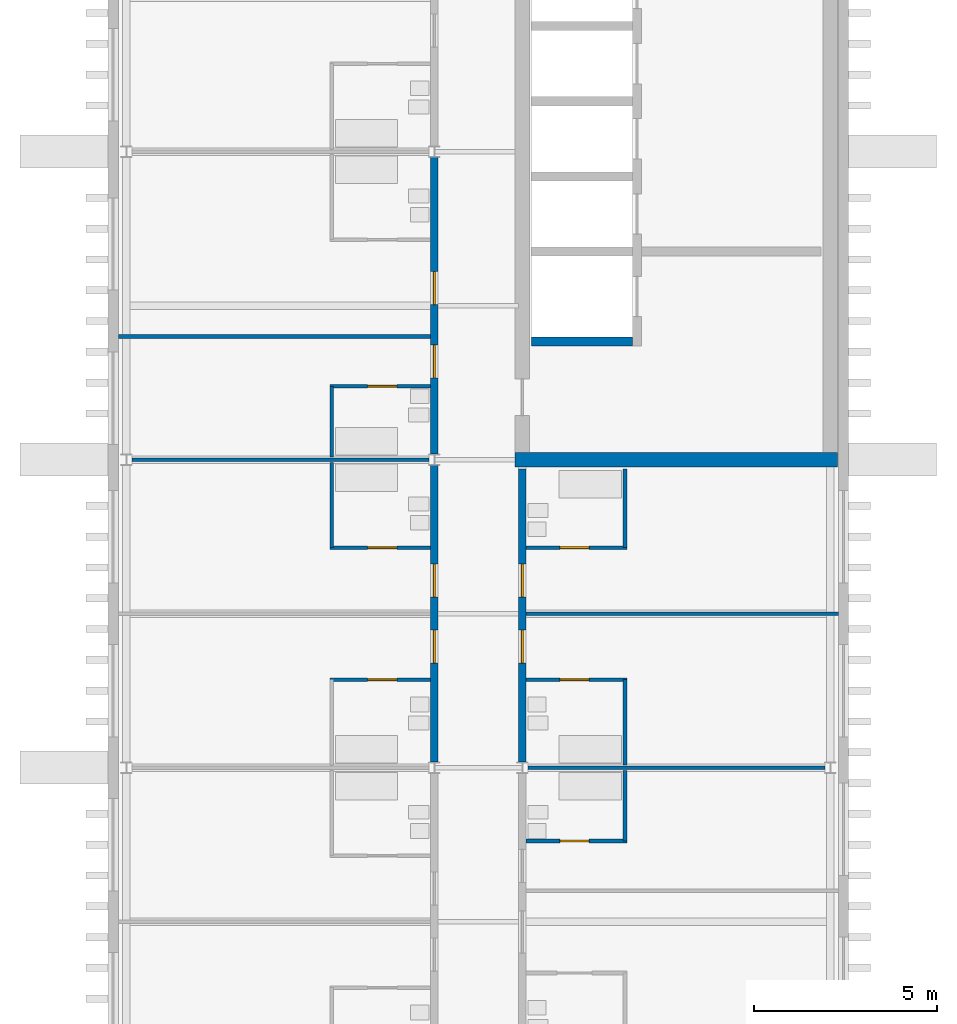
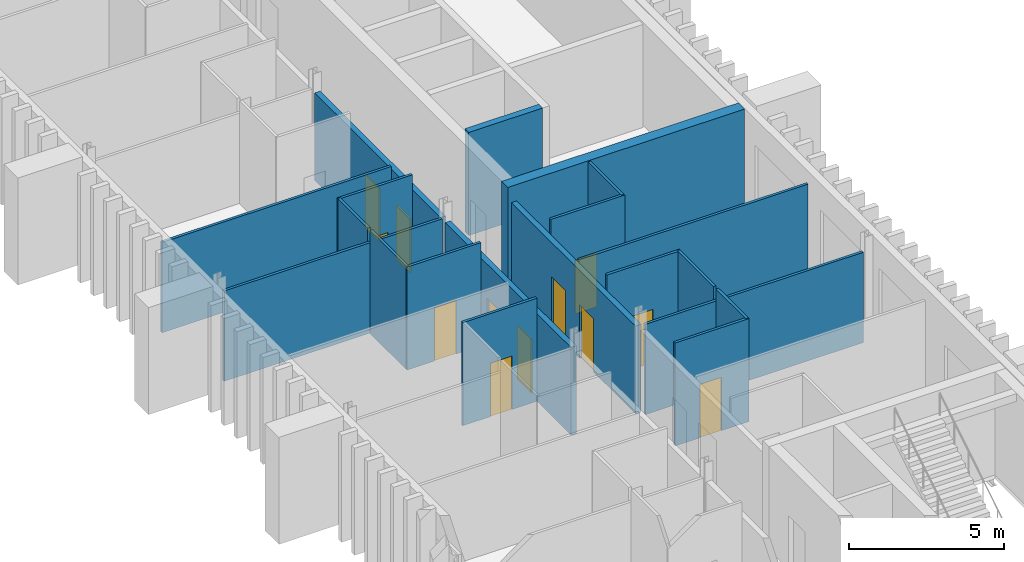
# One storey, part 5 of 11: 20 walls, 12 doors, 12 openings.
"""IFC4 building model written with IfcOpenShell, lengths in metres."""

import ifcopenshell
import ifcopenshell.guid

model = None  # the IFC model being written
_history = None  # IfcOwnerHistory: only IFC2X3 demands one
_inside = {}  # id of a spatial element -> (the spatial element, [elements in it])
_under = {}  # id of a project, library or spatial element -> (it, [spatial elements below it])
_declared = {}  # id of a project -> (the project, [libraries it declares])
_typed = {}  # id of a type object -> (the type object, [elements of that type])
_made_of = {}  # id of a material, layer set ... -> (it, [elements and type objects made of it])


def new_model(schema):
    """Start an empty IFC model of exactly this schema.

    Asked for "IFC4X3", IfcOpenShell would pick the latest addendum, in which some entities
    have other attributes; the version numbers below select the first issue.
    IFC2X3 requires an IfcOwnerHistory on every rooted entity: one is made here for all.
    """
    global model, _history
    if schema == "IFC4X3":
        model = ifcopenshell.file(schema_version=(4, 3, 0, 0))
    else:
        model = ifcopenshell.file(schema=schema)
    _inside.clear()
    _under.clear()
    _declared.clear()
    _typed.clear()
    _made_of.clear()
    _history = None
    if model.schema == "IFC2X3":
        org = make("IfcOrganization", Name="unknown")
        user = make(
            "IfcPersonAndOrganization",
            ThePerson=make("IfcPerson", FamilyName="unknown"),
            TheOrganization=org,
        )
        app = make(
            "IfcApplication",
            ApplicationDeveloper=org,
            Version="unknown",
            ApplicationFullName="unknown",
            ApplicationIdentifier="unknown",
        )
        _history = make(
            "IfcOwnerHistory",
            OwningUser=user,
            OwningApplication=app,
            ChangeAction="ADDED",
            CreationDate=0,
        )
    return model


def make(cls, **values):
    """One entity of the class cls with the attributes given. An attribute that is None is left unset."""
    return model.create_entity(
        cls, **{name: value for name, value in values.items() if value is not None}
    )


def rooted(cls, **values):
    """An entity with a GlobalId (a new one), such as an element, a storey or a relation."""
    return make(cls, GlobalId=ifcopenshell.guid.new(), OwnerHistory=_history, **values)


def si_unit(unit_type, name, prefix=None):
    """IfcSIUnit, for example si_unit("LENGTHUNIT", "METRE", prefix="MILLI")."""
    return make("IfcSIUnit", UnitType=unit_type, Prefix=prefix, Name=name)


def assignment(units):
    """IfcUnitAssignment: the units of a project."""
    return None if units is None else make("IfcUnitAssignment", Units=units)


def point(xyz):
    """IfcCartesianPoint."""
    return None if xyz is None else make("IfcCartesianPoint", Coordinates=xyz)


def direction(xyz):
    """IfcDirection."""
    return None if xyz is None else make("IfcDirection", DirectionRatios=xyz)


def frame(location, z_axis=None, x_axis=None):
    """IfcAxis2Placement3D, a coordinate frame: its origin and axes. An axis left out is left unset."""
    return make(
        "IfcAxis2Placement3D",
        Location=point(location),
        Axis=direction(z_axis),
        RefDirection=direction(x_axis),
    )


def frame_2d(location, x_axis=None):
    """IfcAxis2Placement2D, a coordinate frame in the plane: its origin and x axis."""
    return make(
        "IfcAxis2Placement2D", Location=point(location), RefDirection=direction(x_axis)
    )


def origin():
    """The frame at (0, 0, 0) with its axes left unset."""
    return frame((0.0, 0.0, 0.0))


def place(relative_to, where):
    """IfcLocalPlacement: puts the frame where relative to a parent placement (None: the world)."""
    return make(
        "IfcLocalPlacement", PlacementRelTo=relative_to, RelativePlacement=where
    )


def context(
    kind, dimensions, precision=None, world=None, true_north=None, identifier=None
):
    """IfcGeometricRepresentationContext, for example the 3D "Model" context."""
    return make(
        "IfcGeometricRepresentationContext",
        ContextIdentifier=identifier,
        ContextType=kind,
        CoordinateSpaceDimension=dimensions,
        Precision=precision,
        WorldCoordinateSystem=world,
        TrueNorth=true_north,
    )


def subcontext(parent, identifier, kind, view, scale=None):
    """IfcGeometricRepresentationSubContext, for example "Body" below "Model"."""
    return make(
        "IfcGeometricRepresentationSubContext",
        ContextIdentifier=identifier,
        ContextType=kind,
        ParentContext=parent,
        TargetScale=scale,
        TargetView=view,
    )


def project(units=None, contexts=None):
    """IfcProject with its units and contexts."""
    return rooted(
        "IfcProject",
        Name="project",
        RepresentationContexts=contexts,
        UnitsInContext=assignment(units),
    )


def spatial(cls, under=None, at=None, **own):
    """A site, building, storey or space (cls), placed at a placement, below another one or the project."""
    s = rooted(cls, ObjectPlacement=at, **own)
    if under is not None:
        _under.setdefault(under.id(), (under, []))[1].append(s)
    return s


def profile(cls, at=None, kind="AREA", **sizes):
    """A parametric profile (cls). Its sizes go by their IFC names, for example OverallWidth=200.0."""
    return make(cls, ProfileType=kind, Position=at, **sizes)


def rectangle(**sizes):
    """IfcRectangleProfileDef."""
    return profile("IfcRectangleProfileDef", **sizes)


def extrude(swept, where, along, depth):
    """IfcExtrudedAreaSolid: the profile swept, set in the frame where, extruded along a direction by depth."""
    return make(
        "IfcExtrudedAreaSolid",
        SweptArea=swept,
        Position=where,
        ExtrudedDirection=direction(along),
        Depth=depth,
    )


def shape(context_of_items, identifier, shape_type, items):
    """IfcShapeRepresentation: the items that make up one representation, for example the "Body"."""
    return make(
        "IfcShapeRepresentation",
        ContextOfItems=context_of_items,
        RepresentationIdentifier=identifier,
        RepresentationType=shape_type,
        Items=items,
    )


def material(Name=None, Category=None):
    """IfcMaterial."""
    return make("IfcMaterial", Name=Name, Category=Category)


def layer(
    of_material, thickness, ventilated=None, Name=None, Category=None, Priority=None
):
    """IfcMaterialLayer: one layer of a wall or slab, of a material (None: an air gap)."""
    return make(
        "IfcMaterialLayer",
        Material=of_material,
        LayerThickness=thickness,
        IsVentilated=ventilated,
        Name=Name,
        Category=Category,
        Priority=Priority,
    )


def layer_set(layers, Name=None):
    """IfcMaterialLayerSet."""
    return make("IfcMaterialLayerSet", MaterialLayers=layers, LayerSetName=Name)


def made_of(thing, what):
    """Note that an element or type object is made of a material, layer set ...; save() writes the relation."""
    if what is not None:
        _made_of.setdefault(what.id(), (what, []))[1].append(thing)
    return thing


def type_object(cls, material=None, **own):
    """A type object (cls), such as IfcWallType, which elements share."""
    return made_of(rooted(cls, **own), material)


def element(
    cls,
    number,
    at=None,
    inside=None,
    cuts=None,
    type_object=None,
    material=None,
    context=None,
    identifier="Body",
    shape_type=None,
    held_by="IfcProductDefinitionShape",
    body=None,
    shapes=None,
    **own,
):
    """One element of the class cls, such as IfcWall. Its Tag is "e" and its number.

    at: its placement. inside: the storey or other place that contains it. cuts: it is an
    opening in that element (IfcRelVoidsElement). A single representation is given by context,
    identifier, shape_type and body (its items); several are given by shapes. held_by: the class
    of the entity that holds the representations. save() writes the other relations.
    """
    e = rooted(cls, Tag="e%d" % number, ObjectPlacement=at, **own)
    if body is not None:
        shapes = [shape(context, identifier, shape_type, body)]
    if shapes is not None:
        e.Representation = make(held_by, Representations=shapes)
    if inside is not None:
        _inside.setdefault(inside.id(), (inside, []))[1].append(e)
    if cuts is not None:
        rooted(
            "IfcRelVoidsElement", RelatingBuildingElement=cuts, RelatedOpeningElement=e
        )
    if type_object is not None:
        _typed.setdefault(type_object.id(), (type_object, []))[1].append(e)
    return made_of(e, material)


def fill(opening, filler):
    """IfcRelFillsElement: the door or window that sits in an opening."""
    return rooted(
        "IfcRelFillsElement",
        RelatingOpeningElement=opening,
        RelatedBuildingElement=filler,
    )


def aggregate(whole, parts):
    """IfcRelAggregates: a whole, such as a stair, and the parts it consists of."""
    return rooted("IfcRelAggregates", RelatingObject=whole, RelatedObjects=parts)


def save(model, path):
    """Write the relations noted so far, then the file.

    IfcRelAggregates (storeys below a building ...), IfcRelContainedInSpatialStructure (elements
    in a storey), IfcRelDefinesByType, IfcRelAssociatesMaterial and IfcRelDeclares: one each for
    every whole, place, type object, material and project.
    """
    for whole, parts in _under.values():
        aggregate(whole, parts)
    for where, things in _inside.values():
        rooted(
            "IfcRelContainedInSpatialStructure",
            RelatedElements=things,
            RelatingStructure=where,
        )
    for kind, things in _typed.values():
        rooted("IfcRelDefinesByType", RelatedObjects=things, RelatingType=kind)
    for what, things in _made_of.values():
        rooted("IfcRelAssociatesMaterial", RelatedObjects=things, RelatingMaterial=what)
    for by, libraries in _declared.values():
        rooted("IfcRelDeclares", RelatingContext=by, RelatedDefinitions=libraries)
    model.write(path)


model = new_model("IFC4")

# Units and contexts
model_context = context("Model", 3, precision=1e-05, world=origin(), true_north=direction((0.0, 1.0)))
body_context = subcontext(model_context, "Body", "Model", "MODEL_VIEW")
ifc_project = project(units=[si_unit("LENGTHUNIT", "METRE"), si_unit("AREAUNIT", "SQUARE_METRE"), si_unit("VOLUMEUNIT", "CUBIC_METRE"), si_unit("PLANEANGLEUNIT", "RADIAN"), si_unit("MASSUNIT", "GRAM", prefix="KILO")], contexts=[model_context])

# Site, building, storey
site_placement = place(None, origin())
site = spatial("IfcSite", under=ifc_project, at=site_placement, CompositionType="ELEMENT")
building_placement = place(site_placement, origin())
building = spatial("IfcBuilding", under=site, at=building_placement, Name="Cresset Court Congress Hotel", CompositionType="ELEMENT")
storey_placement = place(building_placement, frame((0.0, 0.0, 60.60009765625)))
storey = spatial("IfcBuildingStorey", under=building, at=storey_placement, Name="L14", CompositionType="ELEMENT", Elevation=60.60009765625)

# Wall, openings, doors
ifc_material_1 = material(Name="Gypsum board partition")
ifc_layer_1 = layer(ifc_material_1, 0.199951171875)
ifc_layer_set_1 = layer_set([ifc_layer_1], Name="Corridor wall 200")
wall_type_1 = type_object("IfcWallType", Name="Corridor wall 200", PredefinedType="PARTITIONING", material=ifc_layer_set_1)
wall_1_placement = place(storey_placement, frame((165.60009765625, 16.949951171875, 0.0), z_axis=(0.0, 0.0, 1.0), x_axis=(0.0, 1.0, 0.0)))
wall_1 = element("IfcWall", 1, at=wall_1_placement, inside=storey, type_object=wall_type_1, Name="A.wl.L14.072", PredefinedType="PARTITIONING", context=body_context, shape_type="SweptSolid", body=[
    extrude(rectangle(XDim=8.10009765625, YDim=0.199951171875, at=frame_2d((4.050048828125, 0.0))), origin(), (0.0, 0.0, 1.0), 3.449951171875),
])
opening_1_placement = place(wall_1_placement, frame((2.699951171875, 0.0, 0.0)))
opening_1 = element("IfcOpeningElement", 2, at=opening_1_placement, cuts=wall_1, Name="Opening DA-14-10", PredefinedType="OPENING", context=body_context, shape_type="SweptSolid", body=[
    extrude(rectangle(XDim=0.89990234375, YDim=2.10009765625, at=frame_2d((0.449951171875, 1.050048828125))), frame((0.0, 0.10986328125, 0.0), z_axis=(0.0, -1.0, 0.0), x_axis=(1.0, 0.0, 0.0)), (0.0, 0.0, 1.0), 0.219970703125),
])
opening_2_placement = place(wall_1_placement, frame((4.5, 0.0, 0.0)))
opening_2 = element("IfcOpeningElement", 3, at=opening_2_placement, cuts=wall_1, Name="Opening DA-14-12", PredefinedType="OPENING", context=body_context, shape_type="SweptSolid", body=[
    extrude(rectangle(XDim=0.89990234375, YDim=2.10009765625, at=frame_2d((0.449951171875, 1.050048828125))), frame((0.0, 0.10986328125, 0.0), z_axis=(0.0, -1.0, 0.0), x_axis=(1.0, 0.0, 0.0)), (0.0, 0.0, 1.0), 0.219970703125),
])
ifc_material_2 = material(Name="timber", Category="wood")
door_type_1 = type_object("IfcDoorType", Name="Guest-room entry door 900x2100 FD30S", OperationType="SINGLE_SWING_LEFT", PredefinedType="DOOR", material=ifc_material_2)
door_1_placement = place(opening_1_placement, origin())
door_1 = element("IfcDoor", 4, at=door_1_placement, inside=storey, type_object=door_type_1, Name="Door DA-14-10", OperationType="SINGLE_SWING_RIGHT", OverallHeight=2.10009765625, OverallWidth=0.89990234375, PredefinedType="DOOR", context=body_context, shape_type="SweptSolid", body=[
    extrude(rectangle(XDim=0.89990234375, YDim=2.10009765625, at=frame_2d((0.449951171875, 1.050048828125))), frame((0.0, 0.02490234375, 0.0), z_axis=(0.0, -1.0, 0.0), x_axis=(1.0, 0.0, 0.0)), (0.0, 0.0, 1.0), 0.050048828125),
])
fill(opening_1, door_1)
door_2_placement = place(opening_2_placement, origin())
door_2 = element("IfcDoor", 5, at=door_2_placement, inside=storey, type_object=door_type_1, Name="Door DA-14-12", OperationType="SINGLE_SWING_LEFT", OverallHeight=2.10009765625, OverallWidth=0.89990234375, PredefinedType="DOOR", context=body_context, shape_type="SweptSolid", body=[
    extrude(rectangle(XDim=0.89990234375, YDim=2.10009765625, at=frame_2d((0.449951171875, 1.050048828125))), frame((0.0, 0.02490234375, 0.0), z_axis=(0.0, -1.0, 0.0), x_axis=(1.0, 0.0, 0.0)), (0.0, 0.0, 1.0), 0.050048828125),
])
fill(opening_2, door_2)

wall_2_placement = place(storey_placement, frame((165.60009765625, 25.35009765625, 0.0), z_axis=(0.0, 0.0, 1.0), x_axis=(0.0, 1.0, 0.0)))
wall_2 = element("IfcWall", 6, at=wall_2_placement, inside=storey, type_object=wall_type_1, Name="A.wl.L14.073", PredefinedType="PARTITIONING", context=body_context, shape_type="SweptSolid", body=[
    extrude(rectangle(XDim=8.099853515625, YDim=0.199951171875, at=frame_2d((4.0498046875, 0.0))), origin(), (0.0, 0.0, 1.0), 3.449951171875),
])
opening_3_placement = place(wall_2_placement, frame((2.080078125, 0.0, 0.0)))
opening_3 = element("IfcOpeningElement", 7, at=opening_3_placement, cuts=wall_2, Name="Opening DA-14-14", PredefinedType="OPENING", context=body_context, shape_type="SweptSolid", body=[
    extrude(rectangle(XDim=0.89990234375, YDim=2.10009765625, at=frame_2d((0.449951171875, 1.050048828125))), frame((0.0, 0.10986328125, 0.0), z_axis=(0.0, -1.0, 0.0), x_axis=(1.0, 0.0, 0.0)), (0.0, 0.0, 1.0), 0.219970703125),
])
opening_4_placement = place(wall_2_placement, frame((4.080078125, 0.0, 0.0)))
opening_4 = element("IfcOpeningElement", 8, at=opening_4_placement, cuts=wall_2, Name="Opening DA-14-16", PredefinedType="OPENING", context=body_context, shape_type="SweptSolid", body=[
    extrude(rectangle(XDim=0.89990234375, YDim=2.10009765625, at=frame_2d((0.449951171875, 1.050048828125))), frame((0.0, 0.10986328125, 0.0), z_axis=(0.0, -1.0, 0.0), x_axis=(1.0, 0.0, 0.0)), (0.0, 0.0, 1.0), 0.219970703125),
])
door_3_placement = place(opening_3_placement, origin())
door_3 = element("IfcDoor", 9, at=door_3_placement, inside=storey, type_object=door_type_1, Name="Door DA-14-14", OperationType="SINGLE_SWING_RIGHT", OverallHeight=2.10009765625, OverallWidth=0.89990234375, PredefinedType="DOOR", context=body_context, shape_type="SweptSolid", body=[
    extrude(rectangle(XDim=0.89990234375, YDim=2.10009765625, at=frame_2d((0.449951171875, 1.050048828125))), frame((0.0, 0.02490234375, 0.0), z_axis=(0.0, -1.0, 0.0), x_axis=(1.0, 0.0, 0.0)), (0.0, 0.0, 1.0), 0.050048828125),
])
fill(opening_3, door_3)
door_4_placement = place(opening_4_placement, origin())
door_4 = element("IfcDoor", 10, at=door_4_placement, inside=storey, type_object=door_type_1, Name="Door DA-14-16", OperationType="SINGLE_SWING_LEFT", OverallHeight=2.10009765625, OverallWidth=0.89990234375, PredefinedType="DOOR", context=body_context, shape_type="SweptSolid", body=[
    extrude(rectangle(XDim=0.89990234375, YDim=2.10009765625, at=frame_2d((0.449951171875, 1.050048828125))), frame((0.0, 0.02490234375, 0.0), z_axis=(0.0, -1.0, 0.0), x_axis=(1.0, 0.0, 0.0)), (0.0, 0.0, 1.0), 0.050048828125),
])
fill(opening_4, door_4)

wall_3_placement = place(storey_placement, frame((168.0, 16.949951171875, 0.0), z_axis=(0.0, 0.0, 1.0), x_axis=(0.0, 1.0, 0.0)))
wall_3 = element("IfcWall", 11, at=wall_3_placement, inside=storey, type_object=wall_type_1, Name="A.wl.L14.079", PredefinedType="PARTITIONING", context=body_context, shape_type="SweptSolid", body=[
    extrude(rectangle(XDim=8.0, YDim=0.199951171875, at=frame_2d((4.0, 0.0))), origin(), (0.0, 0.0, 1.0), 3.449951171875),
])
opening_5_placement = place(wall_3_placement, frame((2.699951171875, 0.0, 0.0)))
opening_5 = element("IfcOpeningElement", 12, at=opening_5_placement, cuts=wall_3, Name="Opening DA-14-38", PredefinedType="OPENING", context=body_context, shape_type="SweptSolid", body=[
    extrude(rectangle(XDim=0.89990234375, YDim=2.10009765625, at=frame_2d((0.449951171875, 1.050048828125))), frame((0.0, 0.10986328125, 0.0), z_axis=(0.0, -1.0, 0.0), x_axis=(1.0, 0.0, 0.0)), (0.0, 0.0, 1.0), 0.219970703125),
])
opening_6_placement = place(wall_3_placement, frame((4.5, 0.0, 0.0)))
opening_6 = element("IfcOpeningElement", 13, at=opening_6_placement, cuts=wall_3, Name="Opening DA-14-40", PredefinedType="OPENING", context=body_context, shape_type="SweptSolid", body=[
    extrude(rectangle(XDim=0.89990234375, YDim=2.10009765625, at=frame_2d((0.449951171875, 1.050048828125))), frame((0.0, 0.10986328125, 0.0), z_axis=(0.0, -1.0, 0.0), x_axis=(1.0, 0.0, 0.0)), (0.0, 0.0, 1.0), 0.219970703125),
])
door_5_placement = place(opening_5_placement, origin())
door_5 = element("IfcDoor", 14, at=door_5_placement, inside=storey, type_object=door_type_1, Name="Door DA-14-38", OperationType="SINGLE_SWING_RIGHT", OverallHeight=2.10009765625, OverallWidth=0.89990234375, PredefinedType="DOOR", context=body_context, shape_type="SweptSolid", body=[
    extrude(rectangle(XDim=0.89990234375, YDim=2.10009765625, at=frame_2d((0.449951171875, 1.050048828125))), frame((0.0, 0.02490234375, 0.0), z_axis=(0.0, -1.0, 0.0), x_axis=(1.0, 0.0, 0.0)), (0.0, 0.0, 1.0), 0.050048828125),
])
fill(opening_5, door_5)
door_6_placement = place(opening_6_placement, origin())
door_6 = element("IfcDoor", 15, at=door_6_placement, inside=storey, type_object=door_type_1, Name="Door DA-14-40", OperationType="SINGLE_SWING_LEFT", OverallHeight=2.10009765625, OverallWidth=0.89990234375, PredefinedType="DOOR", context=body_context, shape_type="SweptSolid", body=[
    extrude(rectangle(XDim=0.89990234375, YDim=2.10009765625, at=frame_2d((0.449951171875, 1.050048828125))), frame((0.0, 0.02490234375, 0.0), z_axis=(0.0, -1.0, 0.0), x_axis=(1.0, 0.0, 0.0)), (0.0, 0.0, 1.0), 0.050048828125),
])
fill(opening_6, door_6)

# Wall, opening, door
ifc_material_3 = material(Name="Gypsum board partition")
ifc_layer_2 = layer(ifc_material_3, 0.10009765625)
ifc_layer_set_2 = layer_set([ifc_layer_2], Name="En-suite wall 100")
wall_type_2 = type_object("IfcWallType", Name="En-suite wall 100", PredefinedType="PARTITIONING", material=ifc_layer_set_2)
wall_4_placement = place(storey_placement, frame((162.75, 19.199951171875, 0.0), z_axis=(0.0, 0.0, 1.0), x_axis=(1.0, 0.0, 0.0)))
wall_4 = element("IfcWall", 16, at=wall_4_placement, inside=storey, type_object=wall_type_2, Name="A.wl.L14.010", PredefinedType="PARTITIONING", context=body_context, shape_type="SweptSolid", body=[
    extrude(rectangle(XDim=2.75, YDim=0.10009765625, at=frame_2d((1.375, 0.0))), origin(), (0.0, 0.0, 1.0), 4.0498046875),
])
opening_7_placement = place(wall_4_placement, frame((1.030029296875, 0.0, 0.0)))
opening_7 = element("IfcOpeningElement", 17, at=opening_7_placement, cuts=wall_4, Name="Opening DA-14-09", PredefinedType="OPENING", context=body_context, shape_type="SweptSolid", body=[
    extrude(rectangle(XDim=0.800048828125, YDim=2.10009765625, at=frame_2d((0.39990234375, 1.050048828125))), frame((0.0, 0.06005859375, 0.0), z_axis=(0.0, -1.0, 0.0), x_axis=(1.0, 0.0, 0.0)), (0.0, 0.0, 1.0), 0.1201171875),
])
ifc_material_4 = material(Name="timber", Category="wood")
door_type_2 = type_object("IfcDoorType", Name="En-suite door 800x2100", OperationType="SINGLE_SWING_LEFT", PredefinedType="DOOR", material=ifc_material_4)
door_7_placement = place(opening_7_placement, origin())
door_7 = element("IfcDoor", 18, at=door_7_placement, inside=storey, type_object=door_type_2, Name="Door DA-14-09", OperationType="SINGLE_SWING_RIGHT", OverallHeight=2.10009765625, OverallWidth=0.800048828125, PredefinedType="DOOR", context=body_context, shape_type="SweptSolid", body=[
    extrude(rectangle(XDim=0.800048828125, YDim=2.10009765625, at=frame_2d((0.39990234375, 1.050048828125))), frame((0.0, 0.02490234375, 0.0), z_axis=(0.0, -1.0, 0.0), x_axis=(1.0, 0.0, 0.0)), (0.0, 0.0, 1.0), 0.050048828125),
])
fill(opening_7, door_7)

# Wall
wall_5_placement = place(storey_placement, frame((162.800048828125, 22.800048828125, 0.0), z_axis=(0.0, 0.0, 1.0), x_axis=(0.0, 1.0, 0.0)))
element("IfcWall", 19, at=wall_5_placement, inside=storey, type_object=wall_type_2, Name="A.wl.L14.011", PredefinedType="PARTITIONING", context=body_context, shape_type="SweptSolid", body=[
    extrude(rectangle(XDim=2.324951171875, YDim=0.10009765625, at=frame_2d((1.16259765625, 0.0))), origin(), (0.0, 0.0, 1.0), 4.0498046875),
])

# Wall, opening, door
wall_6_placement = place(storey_placement, frame((162.75, 22.800048828125, 0.0), z_axis=(0.0, 0.0, 1.0), x_axis=(1.0, 0.0, 0.0)))
wall_6 = element("IfcWall", 20, at=wall_6_placement, inside=storey, type_object=wall_type_2, Name="A.wl.L14.012", PredefinedType="PARTITIONING", context=body_context, shape_type="SweptSolid", body=[
    extrude(rectangle(XDim=2.75, YDim=0.10009765625, at=frame_2d((1.375, 0.0))), origin(), (0.0, 0.0, 1.0), 4.0498046875),
])
opening_8_placement = place(wall_6_placement, frame((1.030029296875, 0.0, 0.0)))
opening_8 = element("IfcOpeningElement", 21, at=opening_8_placement, cuts=wall_6, Name="Opening DA-14-11", PredefinedType="OPENING", context=body_context, shape_type="SweptSolid", body=[
    extrude(rectangle(XDim=0.800048828125, YDim=2.10009765625, at=frame_2d((0.39990234375, 1.050048828125))), frame((0.0, 0.06005859375, 0.0), z_axis=(0.0, -1.0, 0.0), x_axis=(1.0, 0.0, 0.0)), (0.0, 0.0, 1.0), 0.1201171875),
])
door_8_placement = place(opening_8_placement, origin())
door_8 = element("IfcDoor", 22, at=door_8_placement, inside=storey, type_object=door_type_2, Name="Door DA-14-11", OperationType="SINGLE_SWING_LEFT", OverallHeight=2.10009765625, OverallWidth=0.800048828125, PredefinedType="DOOR", context=body_context, shape_type="SweptSolid", body=[
    extrude(rectangle(XDim=0.800048828125, YDim=2.10009765625, at=frame_2d((0.39990234375, 1.050048828125))), frame((0.0, 0.02490234375, 0.0), z_axis=(0.0, -1.0, 0.0), x_axis=(1.0, 0.0, 0.0)), (0.0, 0.0, 1.0), 0.050048828125),
])
fill(opening_8, door_8)

# Wall
wall_7_placement = place(storey_placement, frame((162.800048828125, 25.27490234375, 0.0), z_axis=(0.0, 0.0, 1.0), x_axis=(0.0, 1.0, 0.0)))
element("IfcWall", 23, at=wall_7_placement, inside=storey, type_object=wall_type_2, Name="A.wl.L14.013", PredefinedType="PARTITIONING", context=body_context, shape_type="SweptSolid", body=[
    extrude(rectangle(XDim=1.925048828125, YDim=0.10009765625, at=frame_2d((0.96240234375, 0.0))), origin(), (0.0, 0.0, 1.0), 4.0498046875),
])

# Wall, opening, door
wall_8_placement = place(storey_placement, frame((162.75, 27.199951171875, 0.0), z_axis=(0.0, 0.0, 1.0), x_axis=(1.0, 0.0, 0.0)))
wall_8 = element("IfcWall", 24, at=wall_8_placement, inside=storey, type_object=wall_type_2, Name="A.wl.L14.014", PredefinedType="PARTITIONING", context=body_context, shape_type="SweptSolid", body=[
    extrude(rectangle(XDim=2.75, YDim=0.10009765625, at=frame_2d((1.375, 0.0))), origin(), (0.0, 0.0, 1.0), 4.0498046875),
])
opening_9_placement = place(wall_8_placement, frame((1.030029296875, 0.0, 0.0)))
opening_9 = element("IfcOpeningElement", 25, at=opening_9_placement, cuts=wall_8, Name="Opening DA-14-13", PredefinedType="OPENING", context=body_context, shape_type="SweptSolid", body=[
    extrude(rectangle(XDim=0.800048828125, YDim=2.10009765625, at=frame_2d((0.39990234375, 1.050048828125))), frame((0.0, 0.06005859375, 0.0), z_axis=(0.0, -1.0, 0.0), x_axis=(1.0, 0.0, 0.0)), (0.0, 0.0, 1.0), 0.1201171875),
])
door_9_placement = place(opening_9_placement, origin())
door_9 = element("IfcDoor", 26, at=door_9_placement, inside=storey, type_object=door_type_2, Name="Door DA-14-13", OperationType="SINGLE_SWING_RIGHT", OverallHeight=2.10009765625, OverallWidth=0.800048828125, PredefinedType="DOOR", context=body_context, shape_type="SweptSolid", body=[
    extrude(rectangle(XDim=0.800048828125, YDim=2.10009765625, at=frame_2d((0.39990234375, 1.050048828125))), frame((0.0, 0.02490234375, 0.0), z_axis=(0.0, -1.0, 0.0), x_axis=(1.0, 0.0, 0.0)), (0.0, 0.0, 1.0), 0.050048828125),
])
fill(opening_9, door_9)

# Wall
wall_9_placement = place(storey_placement, frame((170.800048828125, 14.800048828125, 0.0), z_axis=(0.0, 0.0, 1.0), x_axis=(0.0, 1.0, 0.0)))
element("IfcWall", 27, at=wall_9_placement, inside=storey, type_object=wall_type_2, Name="A.wl.L14.035", PredefinedType="PARTITIONING", context=body_context, shape_type="SweptSolid", body=[
    extrude(rectangle(XDim=1.925048828125, YDim=0.10009765625, at=frame_2d((0.96240234375, 0.0))), origin(), (0.0, 0.0, 1.0), 4.0498046875),
])

# Wall, opening, door
wall_10_placement = place(storey_placement, frame((170.85009765625, 14.800048828125, 0.0), z_axis=(0.0, 0.0, 1.0), x_axis=(-1.0, 0.0, 0.0)))
wall_10 = element("IfcWall", 28, at=wall_10_placement, inside=storey, type_object=wall_type_2, Name="A.wl.L14.036", PredefinedType="PARTITIONING", context=body_context, shape_type="SweptSolid", body=[
    extrude(rectangle(XDim=2.75, YDim=0.10009765625, at=frame_2d((1.375, 0.0))), origin(), (0.0, 0.0, 1.0), 4.0498046875),
])
opening_10_placement = place(wall_10_placement, frame((1.030029296875, 0.0, 0.0)))
opening_10 = element("IfcOpeningElement", 29, at=opening_10_placement, cuts=wall_10, Name="Opening DA-14-35", PredefinedType="OPENING", context=body_context, shape_type="SweptSolid", body=[
    extrude(rectangle(XDim=0.800048828125, YDim=2.10009765625, at=frame_2d((0.39990234375, 1.050048828125))), frame((0.0, 0.06005859375, 0.0), z_axis=(0.0, -1.0, 0.0), x_axis=(1.0, 0.0, 0.0)), (0.0, 0.0, 1.0), 0.1201171875),
])
door_10_placement = place(opening_10_placement, origin())
door_10 = element("IfcDoor", 30, at=door_10_placement, inside=storey, type_object=door_type_2, Name="Door DA-14-35", OperationType="SINGLE_SWING_LEFT", OverallHeight=2.10009765625, OverallWidth=0.800048828125, PredefinedType="DOOR", context=body_context, shape_type="SweptSolid", body=[
    extrude(rectangle(XDim=0.800048828125, YDim=2.10009765625, at=frame_2d((0.39990234375, 1.050048828125))), frame((0.0, 0.02490234375, 0.0), z_axis=(0.0, -1.0, 0.0), x_axis=(1.0, 0.0, 0.0)), (0.0, 0.0, 1.0), 0.050048828125),
])
fill(opening_10, door_10)

# Wall
wall_11_placement = place(storey_placement, frame((170.800048828125, 16.875, 0.0), z_axis=(0.0, 0.0, 1.0), x_axis=(0.0, 1.0, 0.0)))
element("IfcWall", 31, at=wall_11_placement, inside=storey, type_object=wall_type_2, Name="A.wl.L14.037", PredefinedType="PARTITIONING", context=body_context, shape_type="SweptSolid", body=[
    extrude(rectangle(XDim=2.324951171875, YDim=0.10009765625, at=frame_2d((1.16259765625, 0.0))), origin(), (0.0, 0.0, 1.0), 4.0498046875),
])

# Wall, opening, door
wall_12_placement = place(storey_placement, frame((170.85009765625, 19.199951171875, 0.0), z_axis=(0.0, 0.0, 1.0), x_axis=(-1.0, 0.0, 0.0)))
wall_12 = element("IfcWall", 32, at=wall_12_placement, inside=storey, type_object=wall_type_2, Name="A.wl.L14.038", PredefinedType="PARTITIONING", context=body_context, shape_type="SweptSolid", body=[
    extrude(rectangle(XDim=2.75, YDim=0.10009765625, at=frame_2d((1.375, 0.0))), origin(), (0.0, 0.0, 1.0), 4.0498046875),
])
opening_11_placement = place(wall_12_placement, frame((1.030029296875, 0.0, 0.0)))
opening_11 = element("IfcOpeningElement", 33, at=opening_11_placement, cuts=wall_12, Name="Opening DA-14-37", PredefinedType="OPENING", context=body_context, shape_type="SweptSolid", body=[
    extrude(rectangle(XDim=0.800048828125, YDim=2.10009765625, at=frame_2d((0.39990234375, 1.050048828125))), frame((0.0, 0.06005859375, 0.0), z_axis=(0.0, -1.0, 0.0), x_axis=(1.0, 0.0, 0.0)), (0.0, 0.0, 1.0), 0.1201171875),
])
door_11_placement = place(opening_11_placement, origin())
door_11 = element("IfcDoor", 34, at=door_11_placement, inside=storey, type_object=door_type_2, Name="Door DA-14-37", OperationType="SINGLE_SWING_RIGHT", OverallHeight=2.10009765625, OverallWidth=0.800048828125, PredefinedType="DOOR", context=body_context, shape_type="SweptSolid", body=[
    extrude(rectangle(XDim=0.800048828125, YDim=2.10009765625, at=frame_2d((0.39990234375, 1.050048828125))), frame((0.0, 0.02490234375, 0.0), z_axis=(0.0, -1.0, 0.0), x_axis=(1.0, 0.0, 0.0)), (0.0, 0.0, 1.0), 0.050048828125),
])
fill(opening_11, door_11)

# Wall
wall_13_placement = place(storey_placement, frame((170.800048828125, 22.800048828125, 0.0), z_axis=(0.0, 0.0, 1.0), x_axis=(0.0, 1.0, 0.0)))
element("IfcWall", 35, at=wall_13_placement, inside=storey, type_object=wall_type_2, Name="A.wl.L14.039", PredefinedType="PARTITIONING", context=body_context, shape_type="SweptSolid", body=[
    extrude(rectangle(XDim=2.14990234375, YDim=0.10009765625, at=frame_2d((1.074951171875, 0.0))), origin(), (0.0, 0.0, 1.0), 4.0498046875),
])

# Wall, opening, door
wall_14_placement = place(storey_placement, frame((170.85009765625, 22.800048828125, 0.0), z_axis=(0.0, 0.0, 1.0), x_axis=(-1.0, 0.0, 0.0)))
wall_14 = element("IfcWall", 36, at=wall_14_placement, inside=storey, type_object=wall_type_2, Name="A.wl.L14.040", PredefinedType="PARTITIONING", context=body_context, shape_type="SweptSolid", body=[
    extrude(rectangle(XDim=2.75, YDim=0.10009765625, at=frame_2d((1.375, 0.0))), origin(), (0.0, 0.0, 1.0), 4.0498046875),
])
opening_12_placement = place(wall_14_placement, frame((1.030029296875, 0.0, 0.0)))
opening_12 = element("IfcOpeningElement", 37, at=opening_12_placement, cuts=wall_14, Name="Opening DA-14-39", PredefinedType="OPENING", context=body_context, shape_type="SweptSolid", body=[
    extrude(rectangle(XDim=0.800048828125, YDim=2.10009765625, at=frame_2d((0.39990234375, 1.050048828125))), frame((0.0, 0.06005859375, 0.0), z_axis=(0.0, -1.0, 0.0), x_axis=(1.0, 0.0, 0.0)), (0.0, 0.0, 1.0), 0.1201171875),
])
door_12_placement = place(opening_12_placement, origin())
door_12 = element("IfcDoor", 38, at=door_12_placement, inside=storey, type_object=door_type_2, Name="Door DA-14-39", OperationType="SINGLE_SWING_LEFT", OverallHeight=2.10009765625, OverallWidth=0.800048828125, PredefinedType="DOOR", context=body_context, shape_type="SweptSolid", body=[
    extrude(rectangle(XDim=0.800048828125, YDim=2.10009765625, at=frame_2d((0.39990234375, 1.050048828125))), frame((0.0, 0.02490234375, 0.0), z_axis=(0.0, -1.0, 0.0), x_axis=(1.0, 0.0, 0.0)), (0.0, 0.0, 1.0), 0.050048828125),
])
fill(opening_12, door_12)

# Walls
ifc_material_5 = material(Name="Gypsum board partition")
ifc_layer_3 = layer(ifc_material_5, 0.10009765625)
ifc_layer_set_3 = layer_set([ifc_layer_3], Name="Guest-room partition 100")
wall_type_3 = type_object("IfcWallType", Name="Guest-room partition 100", PredefinedType="PARTITIONING", material=ifc_layer_set_3)
wall_15_placement = place(storey_placement, frame((157.35009765625, 25.199951171875, 0.0), z_axis=(0.0, 0.0, 1.0), x_axis=(1.0, 0.0, 0.0)))
element("IfcWall", 39, at=wall_15_placement, inside=storey, type_object=wall_type_3, Name="A.wl.L14.051", PredefinedType="PARTITIONING", context=body_context, shape_type="SweptSolid", body=[
    extrude(rectangle(XDim=8.099853515625, YDim=0.10009765625, at=frame_2d((4.0498046875, 0.0))), origin(), (0.0, 0.0, 1.0), 3.5498046875),
])
wall_16_placement = place(storey_placement, frame((168.14990234375, 16.800048828125, 0.0), z_axis=(0.0, 0.0, 1.0), x_axis=(1.0, 0.0, 0.0)))
element("IfcWall", 40, at=wall_16_placement, inside=storey, type_object=wall_type_3, Name="A.wl.L14.056", PredefinedType="PARTITIONING", context=body_context, shape_type="SweptSolid", body=[
    extrude(rectangle(XDim=8.10009765625, YDim=0.10009765625, at=frame_2d((4.050048828125, 0.0))), origin(), (0.0, 0.0, 1.0), 3.5498046875),
])
for number, where, z_axis, x_axis, name in (
    (41, (156.97998046875, 28.56005859375, 0.0), (0.0, 0.0, 1.0), (1.0, 0.0, 0.0), "A.wl.L14.061"),
    (42, (168.10009765625, 21.0, 0.0), (0.0, 0.0, 1.0), (1.0, 0.0, 0.0), "A.wl.L14.067"),
):
    element("IfcWall", number, at=place(storey_placement, frame(where, z_axis=z_axis, x_axis=x_axis)), inside=storey, type_object=wall_type_3, Name=name, PredefinedType="PARTITIONING", context=body_context, shape_type="SweptSolid", body=[
        extrude(rectangle(XDim=8.52001953125, YDim=0.10009765625, at=frame_2d((4.260009765625, 0.0))), origin(), (0.0, 0.0, 1.0), 3.5498046875),
    ])
ifc_material_6 = material(Name="Concrete C50", Category="concrete")
ifc_layer_4 = layer(ifc_material_6, 0.39990234375)
ifc_layer_set_4 = layer_set([ifc_layer_4], Name="Lift core wall 400")
wall_type_4 = type_object("IfcWallType", Name="Lift core wall 400", PredefinedType="SOLIDWALL", material=ifc_layer_set_4)
wall_17_placement = place(storey_placement, frame((167.800048828125, 25.199951171875, 0.0), z_axis=(0.0, 0.0, 1.0), x_axis=(1.0, 0.0, 0.0)))
element("IfcWall", 43, at=wall_17_placement, inside=storey, type_object=wall_type_4, Name="A.cw.LC-A.L14.S", PredefinedType="SOLIDWALL", context=body_context, shape_type="SweptSolid", body=[
    extrude(rectangle(XDim=8.800048828125, YDim=0.39990234375, at=frame_2d((4.39990234375, 0.0))), origin(), (0.0, 0.0, 1.0), 4.0498046875),
])
ifc_material_7 = material(Name="Concrete C50", Category="concrete")
ifc_layer_5 = layer(ifc_material_7, 0.25)
ifc_layer_set_5 = layer_set([ifc_layer_5], Name="Lift shaft wall 250")
wall_type_5 = type_object("IfcWallType", Name="Lift shaft wall 250", PredefinedType="SOLIDWALL", material=ifc_layer_set_5)
wall_18_placement = place(storey_placement, frame((168.25, 28.425048828125, 0.0), z_axis=(0.0, 0.0, 1.0), x_axis=(1.0, 0.0, 0.0)))
element("IfcWall", 44, at=wall_18_placement, inside=storey, type_object=wall_type_5, Name="A.wl.L14.087", PredefinedType="SOLIDWALL", context=body_context, shape_type="SweptSolid", body=[
    extrude(rectangle(XDim=2.75, YDim=0.25, at=frame_2d((1.375, 0.0))), origin(), (0.0, 0.0, 1.0), 4.0498046875),
])

save(model, "model.ifc")
